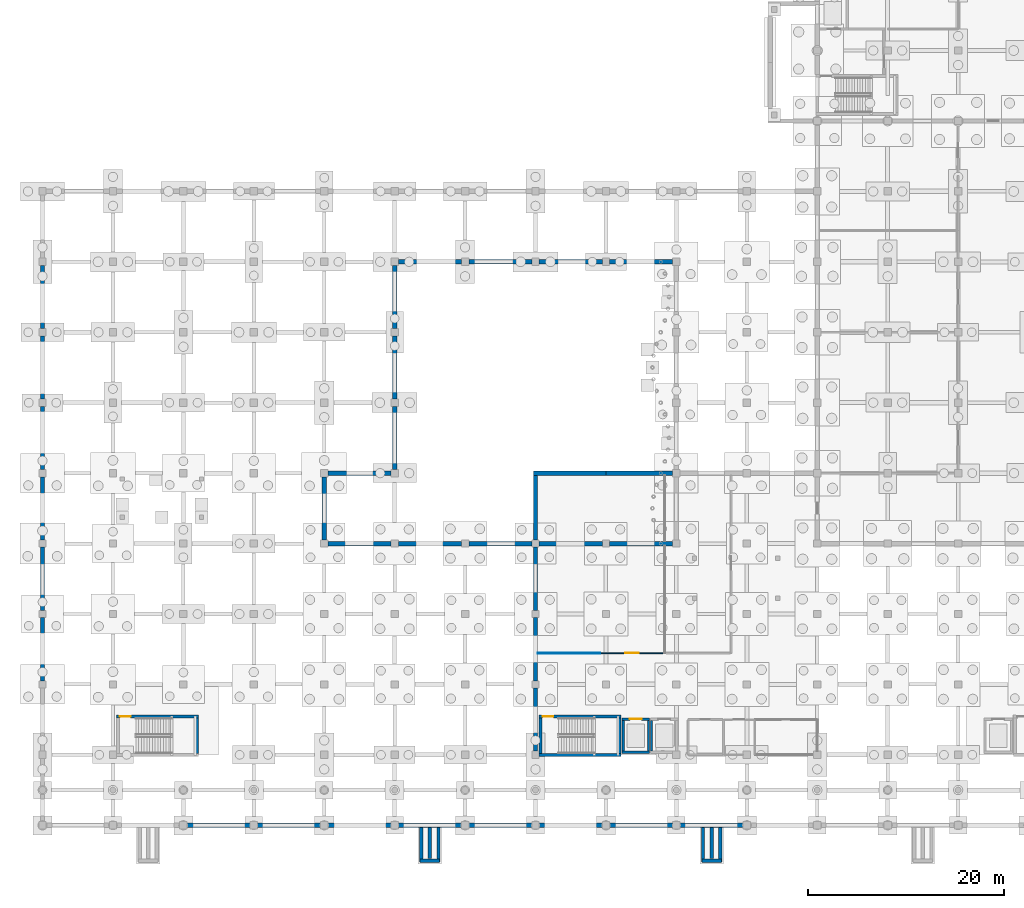
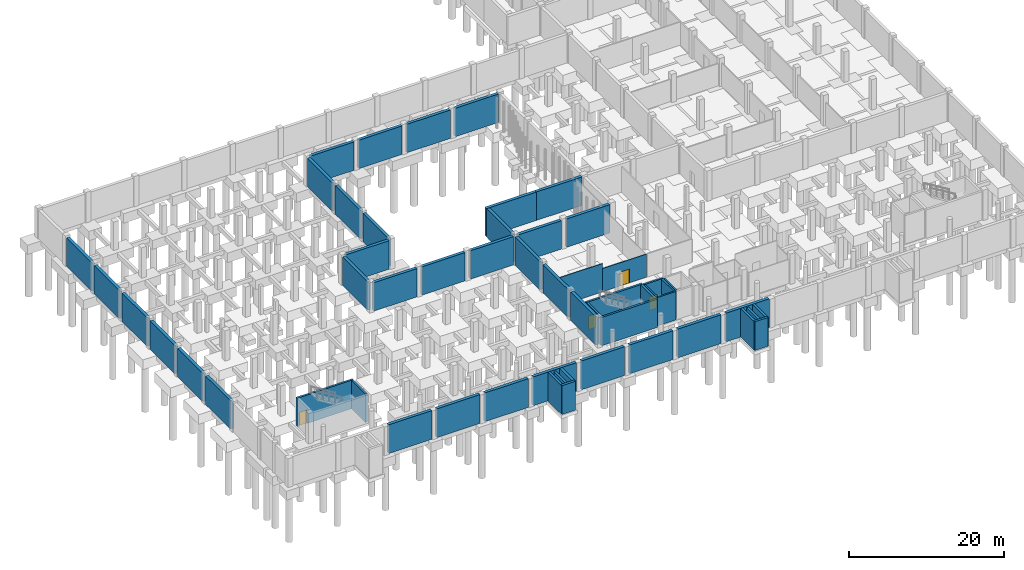
# One storey, part 24 of 35: 55 walls, 4 doors, 4 openings.
"""IFC4 building model written with IfcOpenShell, lengths in metres."""

import ifcopenshell
import ifcopenshell.guid

model = None  # the IFC model being written
_history = None  # IfcOwnerHistory: only IFC2X3 demands one
_inside = {}  # id of a spatial element -> (the spatial element, [elements in it])
_under = {}  # id of a project, library or spatial element -> (it, [spatial elements below it])
_declared = {}  # id of a project -> (the project, [libraries it declares])
_typed = {}  # id of a type object -> (the type object, [elements of that type])
_made_of = {}  # id of a material, layer set ... -> (it, [elements and type objects made of it])


def new_model(schema):
    """Start an empty IFC model of exactly this schema.

    Asked for "IFC4X3", IfcOpenShell would pick the latest addendum, in which some entities
    have other attributes; the version numbers below select the first issue.
    IFC2X3 requires an IfcOwnerHistory on every rooted entity: one is made here for all.
    """
    global model, _history
    if schema == "IFC4X3":
        model = ifcopenshell.file(schema_version=(4, 3, 0, 0))
    else:
        model = ifcopenshell.file(schema=schema)
    _inside.clear()
    _under.clear()
    _declared.clear()
    _typed.clear()
    _made_of.clear()
    _history = None
    if model.schema == "IFC2X3":
        org = make("IfcOrganization", Name="unknown")
        user = make(
            "IfcPersonAndOrganization",
            ThePerson=make("IfcPerson", FamilyName="unknown"),
            TheOrganization=org,
        )
        app = make(
            "IfcApplication",
            ApplicationDeveloper=org,
            Version="unknown",
            ApplicationFullName="unknown",
            ApplicationIdentifier="unknown",
        )
        _history = make(
            "IfcOwnerHistory",
            OwningUser=user,
            OwningApplication=app,
            ChangeAction="ADDED",
            CreationDate=0,
        )
    return model


def make(cls, **values):
    """One entity of the class cls with the attributes given. An attribute that is None is left unset."""
    return model.create_entity(
        cls, **{name: value for name, value in values.items() if value is not None}
    )


def rooted(cls, **values):
    """An entity with a GlobalId (a new one), such as an element, a storey or a relation."""
    return make(cls, GlobalId=ifcopenshell.guid.new(), OwnerHistory=_history, **values)


def si_unit(unit_type, name, prefix=None):
    """IfcSIUnit, for example si_unit("LENGTHUNIT", "METRE", prefix="MILLI")."""
    return make("IfcSIUnit", UnitType=unit_type, Prefix=prefix, Name=name)


def assignment(units):
    """IfcUnitAssignment: the units of a project."""
    return None if units is None else make("IfcUnitAssignment", Units=units)


def point(xyz):
    """IfcCartesianPoint."""
    return None if xyz is None else make("IfcCartesianPoint", Coordinates=xyz)


def direction(xyz):
    """IfcDirection."""
    return None if xyz is None else make("IfcDirection", DirectionRatios=xyz)


def frame(location, z_axis=None, x_axis=None):
    """IfcAxis2Placement3D, a coordinate frame: its origin and axes. An axis left out is left unset."""
    return make(
        "IfcAxis2Placement3D",
        Location=point(location),
        Axis=direction(z_axis),
        RefDirection=direction(x_axis),
    )


def frame_2d(location, x_axis=None):
    """IfcAxis2Placement2D, a coordinate frame in the plane: its origin and x axis."""
    return make(
        "IfcAxis2Placement2D", Location=point(location), RefDirection=direction(x_axis)
    )


def origin():
    """The frame at (0, 0, 0) with its axes left unset."""
    return frame((0.0, 0.0, 0.0))


def place(relative_to, where):
    """IfcLocalPlacement: puts the frame where relative to a parent placement (None: the world)."""
    return make(
        "IfcLocalPlacement", PlacementRelTo=relative_to, RelativePlacement=where
    )


def context(
    kind, dimensions, precision=None, world=None, true_north=None, identifier=None
):
    """IfcGeometricRepresentationContext, for example the 3D "Model" context."""
    return make(
        "IfcGeometricRepresentationContext",
        ContextIdentifier=identifier,
        ContextType=kind,
        CoordinateSpaceDimension=dimensions,
        Precision=precision,
        WorldCoordinateSystem=world,
        TrueNorth=true_north,
    )


def subcontext(parent, identifier, kind, view, scale=None):
    """IfcGeometricRepresentationSubContext, for example "Body" below "Model"."""
    return make(
        "IfcGeometricRepresentationSubContext",
        ContextIdentifier=identifier,
        ContextType=kind,
        ParentContext=parent,
        TargetScale=scale,
        TargetView=view,
    )


def project(units=None, contexts=None):
    """IfcProject with its units and contexts."""
    return rooted(
        "IfcProject",
        Name="project",
        RepresentationContexts=contexts,
        UnitsInContext=assignment(units),
    )


def spatial(cls, under=None, at=None, **own):
    """A site, building, storey or space (cls), placed at a placement, below another one or the project."""
    s = rooted(cls, ObjectPlacement=at, **own)
    if under is not None:
        _under.setdefault(under.id(), (under, []))[1].append(s)
    return s


def profile(cls, at=None, kind="AREA", **sizes):
    """A parametric profile (cls). Its sizes go by their IFC names, for example OverallWidth=200.0."""
    return make(cls, ProfileType=kind, Position=at, **sizes)


def rectangle(**sizes):
    """IfcRectangleProfileDef."""
    return profile("IfcRectangleProfileDef", **sizes)


def extrude(swept, where, along, depth):
    """IfcExtrudedAreaSolid: the profile swept, set in the frame where, extruded along a direction by depth."""
    return make(
        "IfcExtrudedAreaSolid",
        SweptArea=swept,
        Position=where,
        ExtrudedDirection=direction(along),
        Depth=depth,
    )


def shape(context_of_items, identifier, shape_type, items):
    """IfcShapeRepresentation: the items that make up one representation, for example the "Body"."""
    return make(
        "IfcShapeRepresentation",
        ContextOfItems=context_of_items,
        RepresentationIdentifier=identifier,
        RepresentationType=shape_type,
        Items=items,
    )


def material(Name=None, Category=None):
    """IfcMaterial."""
    return make("IfcMaterial", Name=Name, Category=Category)


def layer(
    of_material, thickness, ventilated=None, Name=None, Category=None, Priority=None
):
    """IfcMaterialLayer: one layer of a wall or slab, of a material (None: an air gap)."""
    return make(
        "IfcMaterialLayer",
        Material=of_material,
        LayerThickness=thickness,
        IsVentilated=ventilated,
        Name=Name,
        Category=Category,
        Priority=Priority,
    )


def layer_set(layers, Name=None):
    """IfcMaterialLayerSet."""
    return make("IfcMaterialLayerSet", MaterialLayers=layers, LayerSetName=Name)


def made_of(thing, what):
    """Note that an element or type object is made of a material, layer set ...; save() writes the relation."""
    if what is not None:
        _made_of.setdefault(what.id(), (what, []))[1].append(thing)
    return thing


def type_object(cls, material=None, **own):
    """A type object (cls), such as IfcWallType, which elements share."""
    return made_of(rooted(cls, **own), material)


def element(
    cls,
    number,
    at=None,
    inside=None,
    cuts=None,
    type_object=None,
    material=None,
    context=None,
    identifier="Body",
    shape_type=None,
    held_by="IfcProductDefinitionShape",
    body=None,
    shapes=None,
    **own,
):
    """One element of the class cls, such as IfcWall. Its Tag is "e" and its number.

    at: its placement. inside: the storey or other place that contains it. cuts: it is an
    opening in that element (IfcRelVoidsElement). A single representation is given by context,
    identifier, shape_type and body (its items); several are given by shapes. held_by: the class
    of the entity that holds the representations. save() writes the other relations.
    """
    e = rooted(cls, Tag="e%d" % number, ObjectPlacement=at, **own)
    if body is not None:
        shapes = [shape(context, identifier, shape_type, body)]
    if shapes is not None:
        e.Representation = make(held_by, Representations=shapes)
    if inside is not None:
        _inside.setdefault(inside.id(), (inside, []))[1].append(e)
    if cuts is not None:
        rooted(
            "IfcRelVoidsElement", RelatingBuildingElement=cuts, RelatedOpeningElement=e
        )
    if type_object is not None:
        _typed.setdefault(type_object.id(), (type_object, []))[1].append(e)
    return made_of(e, material)


def fill(opening, filler):
    """IfcRelFillsElement: the door or window that sits in an opening."""
    return rooted(
        "IfcRelFillsElement",
        RelatingOpeningElement=opening,
        RelatedBuildingElement=filler,
    )


def aggregate(whole, parts):
    """IfcRelAggregates: a whole, such as a stair, and the parts it consists of."""
    return rooted("IfcRelAggregates", RelatingObject=whole, RelatedObjects=parts)


def save(model, path):
    """Write the relations noted so far, then the file.

    IfcRelAggregates (storeys below a building ...), IfcRelContainedInSpatialStructure (elements
    in a storey), IfcRelDefinesByType, IfcRelAssociatesMaterial and IfcRelDeclares: one each for
    every whole, place, type object, material and project.
    """
    for whole, parts in _under.values():
        aggregate(whole, parts)
    for where, things in _inside.values():
        rooted(
            "IfcRelContainedInSpatialStructure",
            RelatedElements=things,
            RelatingStructure=where,
        )
    for kind, things in _typed.values():
        rooted("IfcRelDefinesByType", RelatedObjects=things, RelatingType=kind)
    for what, things in _made_of.values():
        rooted("IfcRelAssociatesMaterial", RelatedObjects=things, RelatingMaterial=what)
    for by, libraries in _declared.values():
        rooted("IfcRelDeclares", RelatingContext=by, RelatedDefinitions=libraries)
    model.write(path)


model = new_model("IFC4")

# Units and contexts
model_context = context("Model", 3, precision=1e-05, world=origin(), true_north=direction((0.0, 1.0)))
body_context = subcontext(model_context, "Body", "Model", "MODEL_VIEW")
ifc_project = project(units=[si_unit("LENGTHUNIT", "METRE"), si_unit("AREAUNIT", "SQUARE_METRE"), si_unit("VOLUMEUNIT", "CUBIC_METRE"), si_unit("PLANEANGLEUNIT", "RADIAN"), si_unit("MASSUNIT", "GRAM", prefix="KILO"), si_unit("THERMODYNAMICTEMPERATUREUNIT", "KELVIN"), si_unit("POWERUNIT", "WATT")], contexts=[model_context])

# Site, building, storey
site_placement = place(None, origin())
site = spatial("IfcSite", under=ifc_project, at=site_placement, CompositionType="ELEMENT")
building_placement = place(site_placement, origin())
building = spatial("IfcBuilding", under=site, at=building_placement, Name="Kaldorven Railside Theatre", CompositionType="ELEMENT")
storey_placement = place(building_placement, frame((0.0, 0.0, -4.800048828125)))
storey = spatial("IfcBuildingStorey", under=building, at=storey_placement, Name="B1", CompositionType="ELEMENT", Elevation=-4.800048828125)

# Walls
ifc_material_1 = material(Name="Concrete C40/50", Category="concrete")
ifc_layer_1 = layer(ifc_material_1, 0.449951171875, Name="Concrete C40/50")
ifc_layer_set_1 = layer_set([ifc_layer_1], Name="Concrete C40/50")
wall_type_1 = type_object("IfcWallType", Name="WL-EW01", PredefinedType="SHEAR", material=ifc_layer_set_1)
wall_1_placement = place(storey_placement, frame((8.0, 26.77490234375, 0.0), z_axis=(0.0, 0.0, 1.0), x_axis=(0.0, 1.0, 0.0)))
element("IfcWall", 1, at=wall_1_placement, inside=storey, type_object=wall_type_1, Name="Basement Plinth Retaining Wall EW-0002", PredefinedType="SHEAR", context=body_context, shape_type="SweptSolid", body=[
    extrude(rectangle(XDim=6.4501953125, YDim=0.449951171875, at=frame_2d((3.22509765625, 0.0))), origin(), (0.0, 0.0, 1.0), 4.5),
])
for number, where, z_axis, x_axis, name in (
    (2, (8.0, 33.97509765625, 0.0), (0.0, 0.0, 1.0), (0.0, 1.0, 0.0), "Basement Plinth Retaining Wall EW-0003"),
    (3, (8.0, 41.175048828125, 0.0), (0.0, 0.0, 1.0), (0.0, 1.0, 0.0), "Basement Plinth Retaining Wall EW-0004"),
    (4, (8.0, 48.375, 0.0), (0.0, 0.0, 1.0), (0.0, 1.0, 0.0), "Basement Plinth Retaining Wall EW-0005"),
    (5, (8.0, 55.574951171875, 0.0), (0.0, 0.0, 1.0), (0.0, 1.0, 0.0), "Basement Plinth Retaining Wall EW-0006"),
):
    element("IfcWall", number, at=place(storey_placement, frame(where, z_axis=z_axis, x_axis=x_axis)), inside=storey, type_object=wall_type_1, Name=name, PredefinedType="SHEAR", context=body_context, shape_type="SweptSolid", body=[
        extrude(rectangle(XDim=6.449951171875, YDim=0.449951171875, at=frame_2d((3.22509765625, 0.0))), origin(), (0.0, 0.0, 1.0), 4.5),
    ])
wall_2_placement = place(storey_placement, frame((8.0, 62.77490234375, 0.0), z_axis=(0.0, 0.0, 1.0), x_axis=(0.0, 1.0, 0.0)))
element("IfcWall", 6, at=wall_2_placement, inside=storey, type_object=wall_type_1, Name="Basement Plinth Retaining Wall EW-0007", PredefinedType="SHEAR", context=body_context, shape_type="SweptSolid", body=[
    extrude(rectangle(XDim=6.4501953125, YDim=0.449951171875, at=frame_2d((3.22509765625, 0.0))), origin(), (0.0, 0.0, 1.0), 4.5),
])
for number, where, z_axis, x_axis, name in (
    (7, (79.625, 12.0, 0.0), (0.0, 0.0, 1.0), (-1.0, 0.0, 0.0), "Basement Plinth Retaining Wall EW-0081"),
    (8, (72.425048828125, 12.0, 0.0), (0.0, 0.0, 1.0), (-1.0, 0.0, 0.0), "Basement Plinth Retaining Wall EW-0082"),
):
    element("IfcWall", number, at=place(storey_placement, frame(where, z_axis=z_axis, x_axis=x_axis)), inside=storey, type_object=wall_type_1, Name=name, PredefinedType="SHEAR", context=body_context, shape_type="SweptSolid", body=[
        extrude(rectangle(XDim=6.449951171875, YDim=0.449951171875, at=frame_2d((3.22509765625, 0.0))), origin(), (0.0, 0.0, 1.0), 4.550048828125),
    ])
wall_3_placement = place(storey_placement, frame((65.22509765625, 12.0, 0.0), z_axis=(0.0, 0.0, 1.0), x_axis=(-1.0, 0.0, 0.0)))
element("IfcWall", 9, at=wall_3_placement, inside=storey, type_object=wall_type_1, Name="Basement Plinth Retaining Wall EW-0083", PredefinedType="SHEAR", context=body_context, shape_type="SweptSolid", body=[
    extrude(rectangle(XDim=6.4501953125, YDim=0.449951171875, at=frame_2d((3.22509765625, 0.0))), origin(), (0.0, 0.0, 1.0), 4.550048828125),
])
for number, where, z_axis, x_axis, name in (
    (10, (58.02490234375, 12.0, 0.0), (0.0, 0.0, 1.0), (-1.0, 0.0, 0.0), "Basement Plinth Retaining Wall EW-0084"),
    (11, (50.824951171875, 12.0, 0.0), (0.0, 0.0, 1.0), (-1.0, 0.0, 0.0), "Basement Plinth Retaining Wall EW-0085"),
    (12, (43.625, 12.0, 0.0), (0.0, 0.0, 1.0), (-1.0, 0.0, 0.0), "Basement Plinth Retaining Wall EW-0086"),
    (13, (36.425048828125, 12.0, 0.0), (0.0, 0.0, 1.0), (-1.0, 0.0, 0.0), "Basement Plinth Retaining Wall EW-0087"),
):
    element("IfcWall", number, at=place(storey_placement, frame(where, z_axis=z_axis, x_axis=x_axis)), inside=storey, type_object=wall_type_1, Name=name, PredefinedType="SHEAR", context=body_context, shape_type="SweptSolid", body=[
        extrude(rectangle(XDim=6.449951171875, YDim=0.449951171875, at=frame_2d((3.22509765625, 0.0))), origin(), (0.0, 0.0, 1.0), 4.550048828125),
    ])
wall_4_placement = place(storey_placement, frame((29.22509765625, 12.0, 0.0), z_axis=(0.0, 0.0, 1.0), x_axis=(-1.0, 0.0, 0.0)))
element("IfcWall", 14, at=wall_4_placement, inside=storey, type_object=wall_type_1, Name="Basement Plinth Retaining Wall EW-0088", PredefinedType="SHEAR", context=body_context, shape_type="SweptSolid", body=[
    extrude(rectangle(XDim=6.4501953125, YDim=0.449951171875, at=frame_2d((3.22509765625, 0.0))), origin(), (0.0, 0.0, 1.0), 4.550048828125),
])
for number, where, z_axis, x_axis, name in (
    (15, (44.0, 62.02490234375, 0.0), (0.0, 0.0, 1.0), (0.0, -1.0, 0.0), "Basement Plinth Retaining Wall EW-0093"),
    (16, (44.0, 54.824951171875, 0.0), (0.0, 0.0, 1.0), (0.0, -1.0, 0.0), "Basement Plinth Retaining Wall EW-0094"),
    (17, (43.625, 48.0, 0.0), (0.0, 0.0, 1.0), (-1.0, 0.0, 0.0), "Basement Plinth Retaining Wall EW-0095"),
):
    element("IfcWall", number, at=place(storey_placement, frame(where, z_axis=z_axis, x_axis=x_axis)), inside=storey, type_object=wall_type_1, Name=name, PredefinedType="SHEAR", context=body_context, shape_type="SweptSolid", body=[
        extrude(rectangle(XDim=6.449951171875, YDim=0.449951171875, at=frame_2d((3.22509765625, 0.0))), origin(), (0.0, 0.0, 1.0), 4.52001953125),
    ])
wall_5_placement = place(storey_placement, frame((36.800048828125, 47.625, 0.0), z_axis=(0.0, 0.0, 1.0), x_axis=(0.0, -1.0, 0.0)))
element("IfcWall", 18, at=wall_5_placement, inside=storey, type_object=wall_type_1, Name="Basement Plinth Retaining Wall EW-0096", PredefinedType="SHEAR", context=body_context, shape_type="SweptSolid", body=[
    extrude(rectangle(XDim=6.449951171875, YDim=0.449951171875, at=frame_2d((3.22509765625, 0.0))), origin(), (0.0, 0.0, 1.0), 4.5),
])
for number, where, z_axis, x_axis, name in (
    (19, (37.175048828125, 40.800048828125, 0.0), (0.0, 0.0, 1.0), (1.0, 0.0, 0.0), "Basement Plinth Retaining Wall EW-0097"),
    (20, (44.375, 40.800048828125, 0.0), (0.0, 0.0, 1.0), (1.0, 0.0, 0.0), "Basement Plinth Retaining Wall EW-0098"),
    (21, (51.574951171875, 40.800048828125, 0.0), (0.0, 0.0, 1.0), (1.0, 0.0, 0.0), "Basement Plinth Retaining Wall EW-0099"),
):
    element("IfcWall", number, at=place(storey_placement, frame(where, z_axis=z_axis, x_axis=x_axis)), inside=storey, type_object=wall_type_1, Name=name, PredefinedType="SHEAR", context=body_context, shape_type="SweptSolid", body=[
        extrude(rectangle(XDim=6.449951171875, YDim=0.449951171875, at=frame_2d((3.22509765625, 0.0))), origin(), (0.0, 0.0, 1.0), 4.47998046875),
    ])
wall_6_placement = place(storey_placement, frame((58.77490234375, 40.800048828125, 0.0), z_axis=(0.0, 0.0, 1.0), x_axis=(1.0, 0.0, 0.0)))
element("IfcWall", 22, at=wall_6_placement, inside=storey, type_object=wall_type_1, Name="Basement Plinth Retaining Wall EW-0100", PredefinedType="SHEAR", context=body_context, shape_type="SweptSolid", body=[
    extrude(rectangle(XDim=6.4501953125, YDim=0.449951171875, at=frame_2d((3.22509765625, 0.0))), origin(), (0.0, 0.0, 1.0), 4.47998046875),
])
wall_7_placement = place(storey_placement, frame((65.97509765625, 40.800048828125, 0.0), z_axis=(0.0, 0.0, 1.0), x_axis=(1.0, 0.0, 0.0)))
element("IfcWall", 23, at=wall_7_placement, inside=storey, type_object=wall_type_1, Name="Basement Plinth Retaining Wall EW-0101", PredefinedType="SHEAR", context=body_context, shape_type="SweptSolid", body=[
    extrude(rectangle(XDim=6.449951171875, YDim=0.449951171875, at=frame_2d((3.22509765625, 0.0))), origin(), (0.0, 0.0, 1.0), 4.47998046875),
])
wall_8_placement = place(storey_placement, frame((72.425048828125, 69.60009765625, 0.0), z_axis=(0.0, 0.0, 1.0), x_axis=(-1.0, 0.0, 0.0)))
element("IfcWall", 24, at=wall_8_placement, inside=storey, type_object=wall_type_1, Name="Basement Plinth Retaining Wall EW-0106", PredefinedType="SHEAR", context=body_context, shape_type="SweptSolid", body=[
    extrude(rectangle(XDim=6.449951171875, YDim=0.449951171875, at=frame_2d((3.22509765625, 0.0))), origin(), (0.0, 0.0, 1.0), 4.5),
])
wall_9_placement = place(storey_placement, frame((65.22509765625, 69.60009765625, 0.0), z_axis=(0.0, 0.0, 1.0), x_axis=(-1.0, 0.0, 0.0)))
element("IfcWall", 25, at=wall_9_placement, inside=storey, type_object=wall_type_1, Name="Basement Plinth Retaining Wall EW-0107", PredefinedType="SHEAR", context=body_context, shape_type="SweptSolid", body=[
    extrude(rectangle(XDim=6.4501953125, YDim=0.449951171875, at=frame_2d((3.22509765625, 0.0))), origin(), (0.0, 0.0, 1.0), 4.5),
])
for number, where, z_axis, x_axis, name in (
    (26, (58.02490234375, 69.60009765625, 0.0), (0.0, 0.0, 1.0), (-1.0, 0.0, 0.0), "Basement Plinth Retaining Wall EW-0108"),
    (27, (50.824951171875, 69.60009765625, 0.0), (0.0, 0.0, 1.0), (-1.0, 0.0, 0.0), "Basement Plinth Retaining Wall EW-0109"),
):
    element("IfcWall", number, at=place(storey_placement, frame(where, z_axis=z_axis, x_axis=x_axis)), inside=storey, type_object=wall_type_1, Name=name, PredefinedType="SHEAR", context=body_context, shape_type="SweptSolid", body=[
        extrude(rectangle(XDim=6.449951171875, YDim=0.449951171875, at=frame_2d((3.22509765625, 0.0))), origin(), (0.0, 0.0, 1.0), 4.5),
    ])
wall_10_placement = place(storey_placement, frame((44.0, 69.22509765625, 0.0), z_axis=(0.0, 0.0, 1.0), x_axis=(0.0, -1.0, 0.0)))
element("IfcWall", 28, at=wall_10_placement, inside=storey, type_object=wall_type_1, Name="Basement Plinth Retaining Wall EW-0110", PredefinedType="SHEAR", context=body_context, shape_type="SweptSolid", body=[
    extrude(rectangle(XDim=6.4501953125, YDim=0.449951171875, at=frame_2d((3.22509765625, 0.0))), origin(), (0.0, 0.0, 1.0), 4.5),
])
wall_11_placement = place(storey_placement, frame((58.39990234375, 19.574951171875, 0.0), z_axis=(0.0, 0.0, 1.0), x_axis=(0.0, 1.0, 0.0)))
element("IfcWall", 29, at=wall_11_placement, inside=storey, type_object=wall_type_1, Name="Basement Compartment Retaining Wall EW-0124", PredefinedType="SHEAR", context=body_context, shape_type="SweptSolid", body=[
    extrude(rectangle(XDim=6.449951171875, YDim=0.449951171875, at=frame_2d((3.22509765625, 0.0))), origin(), (0.0, 0.0, 1.0), 4.47998046875),
])
wall_12_placement = place(storey_placement, frame((58.39990234375, 26.77490234375, 0.0), z_axis=(0.0, 0.0, 1.0), x_axis=(0.0, 1.0, 0.0)))
element("IfcWall", 30, at=wall_12_placement, inside=storey, type_object=wall_type_1, Name="Basement Compartment Retaining Wall EW-0125", PredefinedType="SHEAR", context=body_context, shape_type="SweptSolid", body=[
    extrude(rectangle(XDim=6.4501953125, YDim=0.449951171875, at=frame_2d((3.22509765625, 0.0))), origin(), (0.0, 0.0, 1.0), 4.47998046875),
])
wall_13_placement = place(storey_placement, frame((58.39990234375, 33.97509765625, 0.0), z_axis=(0.0, 0.0, 1.0), x_axis=(0.0, 1.0, 0.0)))
element("IfcWall", 31, at=wall_13_placement, inside=storey, type_object=wall_type_1, Name="Basement Compartment Retaining Wall EW-0126", PredefinedType="SHEAR", context=body_context, shape_type="SweptSolid", body=[
    extrude(rectangle(XDim=6.449951171875, YDim=0.449951171875, at=frame_2d((3.22509765625, 0.0))), origin(), (0.0, 0.0, 1.0), 4.47998046875),
])
wall_14_placement = place(storey_placement, frame((58.39990234375, 41.175048828125, 0.0), z_axis=(0.0, 0.0, 1.0), x_axis=(0.0, 1.0, 0.0)))
element("IfcWall", 32, at=wall_14_placement, inside=storey, type_object=wall_type_1, Name="Basement Compartment Retaining Wall EW-0127", PredefinedType="SHEAR", context=body_context, shape_type="SweptSolid", body=[
    extrude(rectangle(XDim=6.599853515625, YDim=0.449951171875, at=frame_2d((3.2998046875, 0.0))), origin(), (0.0, 0.0, 1.0), 4.47998046875),
])
wall_15_placement = place(storey_placement, frame((58.175048828125, 48.0, 0.0), z_axis=(0.0, 0.0, 1.0), x_axis=(1.0, 0.0, 0.0)))
element("IfcWall", 33, at=wall_15_placement, inside=storey, type_object=wall_type_1, Name="Basement Compartment Retaining Wall EW-0128", PredefinedType="SHEAR", context=body_context, shape_type="SweptSolid", body=[
    extrude(rectangle(XDim=7.425048828125, YDim=0.449951171875, at=frame_2d((3.71240234375, 0.0))), origin(), (0.0, 0.0, 1.0), 4.47998046875),
])
wall_16_placement = place(storey_placement, frame((65.60009765625, 48.0, 0.0), z_axis=(0.0, 0.0, 1.0), x_axis=(1.0, 0.0, 0.0)))
element("IfcWall", 34, at=wall_16_placement, inside=storey, type_object=wall_type_1, Name="Basement Compartment Retaining Wall EW-0129", PredefinedType="SHEAR", context=body_context, shape_type="SweptSolid", body=[
    extrude(rectangle(XDim=6.824951171875, YDim=0.449951171875, at=frame_2d((3.41259765625, 0.0))), origin(), (0.0, 0.0, 1.0), 4.5),
])
ifc_material_2 = material(Name="Precast concrete C40/50", Category="concrete")
ifc_layer_2 = layer(ifc_material_2, 0.35009765625, Name="Precast concrete C40/50")
ifc_layer_set_2 = layer_set([ifc_layer_2], Name="Precast concrete C40/50")
wall_type_2 = type_object("IfcWallType", Name="WL-EW03", PredefinedType="SOLIDWALL", material=ifc_layer_set_2)
for number, where, z_axis, x_axis, name in (
    (35, (46.719970703125, 8.260009765625, 0.0), (0.0, 0.0, 1.0), (0.0, 1.0, 0.0), "Arrival Ramp RMP-02 Plinth Cheek Wall"),
    (36, (48.47998046875, 8.260009765625, 0.0), (0.0, 0.0, 1.0), (0.0, 1.0, 0.0), "Arrival Ramp RMP-02 Plinth Cheek Wall"),
):
    element("IfcWall", number, at=place(storey_placement, frame(where, z_axis=z_axis, x_axis=x_axis)), inside=storey, type_object=wall_type_2, Name=name, PredefinedType="SOLIDWALL", context=body_context, shape_type="SweptSolid", body=[
        extrude(rectangle(XDim=3.510009765625, YDim=0.35009765625, at=frame_2d((1.7548828125, 0.0))), origin(), (0.0, 0.0, 1.0), 4.550048828125),
    ])
wall_17_placement = place(storey_placement, frame((46.60009765625, 8.385009765625, 0.0), z_axis=(0.0, 0.0, 1.0), x_axis=(1.0, 0.0, 0.0)))
element("IfcWall", 37, at=wall_17_placement, inside=storey, type_object=wall_type_2, Name="Arrival Ramp RMP-02 Plinth Cheek Wall", PredefinedType="SOLIDWALL", context=body_context, shape_type="SweptSolid", body=[
    extrude(rectangle(XDim=2.0, YDim=0.35009765625, at=frame_2d((1.0, 0.0))), origin(), (0.0, 0.0, 1.0), 4.550048828125),
])
wall_18_placement = place(storey_placement, frame((47.60009765625, 8.580078125, 0.0), z_axis=(0.0, 0.0, 1.0), x_axis=(0.0, 1.0, 0.0)))
element("IfcWall", 38, at=wall_18_placement, inside=storey, type_object=wall_type_2, Name="Arrival Ramp RMP-02 Plinth Cheek Wall", PredefinedType="SOLIDWALL", context=body_context, shape_type="SweptSolid", body=[
    extrude(rectangle(XDim=3.18994140625, YDim=0.35009765625, at=frame_2d((1.594970703125, 0.0))), origin(), (0.0, 0.0, 1.0), 4.340087890625),
])
for number, where, z_axis, x_axis, name in (
    (39, (75.52001953125, 8.260009765625, 0.0), (0.0, 0.0, 1.0), (0.0, 1.0, 0.0), "Arrival Ramp RMP-03 Plinth Cheek Wall"),
    (40, (77.280029296875, 8.260009765625, 0.0), (0.0, 0.0, 1.0), (0.0, 1.0, 0.0), "Arrival Ramp RMP-03 Plinth Cheek Wall"),
):
    element("IfcWall", number, at=place(storey_placement, frame(where, z_axis=z_axis, x_axis=x_axis)), inside=storey, type_object=wall_type_2, Name=name, PredefinedType="SOLIDWALL", context=body_context, shape_type="SweptSolid", body=[
        extrude(rectangle(XDim=3.510009765625, YDim=0.35009765625, at=frame_2d((1.7548828125, 0.0))), origin(), (0.0, 0.0, 1.0), 4.550048828125),
    ])
wall_19_placement = place(storey_placement, frame((75.39990234375, 8.385009765625, 0.0), z_axis=(0.0, 0.0, 1.0), x_axis=(1.0, 0.0, 0.0)))
element("IfcWall", 41, at=wall_19_placement, inside=storey, type_object=wall_type_2, Name="Arrival Ramp RMP-03 Plinth Cheek Wall", PredefinedType="SOLIDWALL", context=body_context, shape_type="SweptSolid", body=[
    extrude(rectangle(XDim=2.0, YDim=0.35009765625, at=frame_2d((1.0, 0.0))), origin(), (0.0, 0.0, 1.0), 4.550048828125),
])
wall_20_placement = place(storey_placement, frame((76.39990234375, 8.580078125, 0.0), z_axis=(0.0, 0.0, 1.0), x_axis=(0.0, 1.0, 0.0)))
element("IfcWall", 42, at=wall_20_placement, inside=storey, type_object=wall_type_2, Name="Arrival Ramp RMP-03 Plinth Cheek Wall", PredefinedType="SOLIDWALL", context=body_context, shape_type="SweptSolid", body=[
    extrude(rectangle(XDim=3.18994140625, YDim=0.35009765625, at=frame_2d((1.594970703125, 0.0))), origin(), (0.0, 0.0, 1.0), 4.340087890625),
])

# Wall, opening, door
ifc_layer_3 = layer(ifc_material_1, 0.300048828125, Name="Concrete C40/50")
ifc_layer_set_3 = layer_set([ifc_layer_3], Name="Concrete C40/50")
wall_type_3 = type_object("IfcWallType", Name="WL-IW-CORE", PredefinedType="SHEAR", material=ifc_layer_set_3)
wall_21_placement = place(storey_placement, frame((15.550048828125, 23.10009765625, 0.0), z_axis=(0.0, 0.0, 1.0), x_axis=(1.0, 0.0, 0.0)))
wall_21 = element("IfcWall", 43, at=wall_21_placement, inside=storey, type_object=wall_type_3, Name="B1 Core Wall CW-0003", PredefinedType="SHEAR", context=body_context, shape_type="SweptSolid", body=[
    extrude(rectangle(XDim=8.39990234375, YDim=0.300048828125, at=frame_2d((4.199951171875, 0.0))), origin(), (0.0, 0.0, 1.0), 4.5),
])
opening_1_placement = place(wall_21_placement, frame((0.3701171875, 0.0, 0.0)))
opening_1 = element("IfcOpeningElement", 44, at=opening_1_placement, cuts=wall_21, Name="Opening ID-0001", PredefinedType="OPENING", context=body_context, shape_type="SweptSolid", body=[
    extrude(rectangle(XDim=1.10009765625, YDim=2.14990234375, at=frame_2d((0.550048828125, 1.074951171875))), frame((0.0, 0.16015625, 0.0), z_axis=(0.0, -1.0, 0.0), x_axis=(1.0, 0.0, 0.0)), (0.0, 0.0, 1.0), 0.320068359375),
])
ifc_material_3 = material(Name="Acoustic hardwood timber", Category="wood")
door_type_1 = type_object("IfcDoorType", Name="DR-ID-FD60", OperationType="NOTDEFINED", PredefinedType="DOOR", material=ifc_material_3)
door_1_placement = place(opening_1_placement, origin())
door_1 = element("IfcDoor", 45, at=door_1_placement, inside=storey, type_object=door_type_1, Name="Stair ST-01 Fire Door", OperationType="SINGLE_SWING_LEFT", OverallHeight=2.14990234375, OverallWidth=1.10009765625, PredefinedType="DOOR", context=body_context, shape_type="SweptSolid", body=[
    extrude(rectangle(XDim=1.10009765625, YDim=2.14990234375, at=frame_2d((0.550048828125, 1.074951171875))), frame((0.0, 0.02490234375, 0.0), z_axis=(0.0, -1.0, 0.0), x_axis=(1.0, 0.0, 0.0)), (0.0, 0.0, 1.0), 0.050048828125),
])
fill(opening_1, door_1)

# Walls
wall_22_placement = place(storey_placement, frame((23.800048828125, 22.947998046875, 0.0), z_axis=(0.0, 0.0, 1.0), x_axis=(0.0, -1.0, 0.0)))
element("IfcWall", 46, at=wall_22_placement, inside=storey, type_object=wall_type_3, Name="B1 Core Wall CW-0004", PredefinedType="SHEAR", context=body_context, shape_type="SweptSolid", body=[
    extrude(rectangle(XDim=3.595947265625, YDim=0.300048828125, at=frame_2d((1.7978515625, 0.0))), origin(), (0.0, 0.0, 1.0), 4.5),
])
wall_23_placement = place(storey_placement, frame((67.14990234375, 19.199951171875, 0.0), z_axis=(0.0, 0.0, 1.0), x_axis=(-1.0, 0.0, 0.0)))
element("IfcWall", 47, at=wall_23_placement, inside=storey, type_object=wall_type_3, Name="B1 Core Wall CW-0029", PredefinedType="SHEAR", context=body_context, shape_type="SweptSolid", body=[
    extrude(rectangle(XDim=8.375, YDim=0.300048828125, at=frame_2d((4.1875, 0.0))), origin(), (0.0, 0.0, 1.0), 4.47998046875),
])
wall_24_placement = place(storey_placement, frame((58.89990234375, 19.35205078125, 0.0), z_axis=(0.0, 0.0, 1.0), x_axis=(0.0, 1.0, 0.0)))
element("IfcWall", 48, at=wall_24_placement, inside=storey, type_object=wall_type_3, Name="B1 Core Wall CW-0030", PredefinedType="SHEAR", context=body_context, shape_type="SweptSolid", body=[
    extrude(rectangle(XDim=3.597900390625, YDim=0.300048828125, at=frame_2d((1.798828125, 0.0))), origin(), (0.0, 0.0, 1.0), 4.47998046875),
])

# Wall, opening, door
wall_25_placement = place(storey_placement, frame((58.75, 23.10009765625, 0.0), z_axis=(0.0, 0.0, 1.0), x_axis=(1.0, 0.0, 0.0)))
wall_25 = element("IfcWall", 49, at=wall_25_placement, inside=storey, type_object=wall_type_3, Name="B1 Core Wall CW-0031", PredefinedType="SHEAR", context=body_context, shape_type="SweptSolid", body=[
    extrude(rectangle(XDim=8.39990234375, YDim=0.300048828125, at=frame_2d((4.199951171875, 0.0))), origin(), (0.0, 0.0, 1.0), 4.47998046875),
])
opening_2_placement = place(wall_25_placement, frame((0.3701171875, 0.0, 0.0)))
opening_2 = element("IfcOpeningElement", 50, at=opening_2_placement, cuts=wall_25, Name="Opening ID-0008", PredefinedType="OPENING", context=body_context, shape_type="SweptSolid", body=[
    extrude(rectangle(XDim=1.10009765625, YDim=2.14990234375, at=frame_2d((0.550048828125, 1.074951171875))), frame((0.0, 0.16015625, 0.0), z_axis=(0.0, -1.0, 0.0), x_axis=(1.0, 0.0, 0.0)), (0.0, 0.0, 1.0), 0.320068359375),
])
door_2_placement = place(opening_2_placement, origin())
door_2 = element("IfcDoor", 51, at=door_2_placement, inside=storey, type_object=door_type_1, Name="Stair ST-03 Fire Door", OperationType="SINGLE_SWING_RIGHT", OverallHeight=2.14990234375, OverallWidth=1.10009765625, PredefinedType="DOOR", context=body_context, shape_type="SweptSolid", body=[
    extrude(rectangle(XDim=1.10009765625, YDim=2.14990234375, at=frame_2d((0.550048828125, 1.074951171875))), frame((0.0, 0.02490234375, 0.0), z_axis=(0.0, -1.0, 0.0), x_axis=(1.0, 0.0, 0.0)), (0.0, 0.0, 1.0), 0.050048828125),
])
fill(opening_2, door_2)

# Walls
wall_26_placement = place(storey_placement, frame((67.0, 22.947998046875, 0.0), z_axis=(0.0, 0.0, 1.0), x_axis=(0.0, -1.0, 0.0)))
element("IfcWall", 52, at=wall_26_placement, inside=storey, type_object=wall_type_3, Name="B1 Core Wall CW-0032", PredefinedType="SHEAR", context=body_context, shape_type="SweptSolid", body=[
    extrude(rectangle(XDim=3.595947265625, YDim=0.300048828125, at=frame_2d((1.7978515625, 0.0))), origin(), (0.0, 0.0, 1.0), 4.47998046875),
])
ifc_material_4 = material(Name="Fire-rated acoustic gypsum board")
ifc_layer_4 = layer(ifc_material_4, 0.10009765625, Name="Fire-rated acoustic gypsum board")
ifc_layer_set_4 = layer_set([ifc_layer_4], Name="Fire-rated acoustic gypsum board")
wall_type_4 = type_object("IfcWallType", Name="WL-IW-PT2", PredefinedType="PARTITIONING", material=ifc_layer_set_4)
wall_27_placement = place(storey_placement, frame((58.626953125, 29.60009765625, 0.0), z_axis=(0.0, 0.0, 1.0), x_axis=(1.0, 0.0, 0.0)))
element("IfcWall", 53, at=wall_27_placement, inside=storey, type_object=wall_type_4, Name="B1 Interior Wall IW-0429", PredefinedType="PARTITIONING", context=body_context, shape_type="SweptSolid", body=[
    extrude(rectangle(XDim=6.373046875, YDim=0.10009765625, at=frame_2d((3.1865234375, 0.0))), origin(), (0.0, 0.0, 1.0), 4.47998046875),
])

# Wall, opening, door
wall_28_placement = place(storey_placement, frame((65.0, 29.60009765625, 0.0), z_axis=(0.0, 0.0, 1.0), x_axis=(1.0, 0.0, 0.0)))
wall_28 = element("IfcWall", 54, at=wall_28_placement, inside=storey, type_object=wall_type_4, Name="B1 Interior Wall IW-0430", PredefinedType="PARTITIONING", context=body_context, shape_type="SweptSolid", body=[
    extrude(rectangle(XDim=6.548095703125, YDim=0.10009765625, at=frame_2d((3.27392578125, 0.0))), origin(), (0.0, 0.0, 1.0), 3.675048828125),
])
opening_3_placement = place(wall_28_placement, frame((2.573974609375, 0.0, 0.0)))
opening_3 = element("IfcOpeningElement", 55, at=opening_3_placement, cuts=wall_28, Name="Opening ID-0096", PredefinedType="OPENING", context=body_context, shape_type="SweptSolid", body=[
    extrude(rectangle(XDim=1.39990234375, YDim=2.199951171875, at=frame_2d((0.699951171875, 1.10009765625))), frame((0.0, 0.06005859375, 0.0), z_axis=(0.0, -1.0, 0.0), x_axis=(1.0, 0.0, 0.0)), (0.0, 0.0, 1.0), 0.1201171875),
])
ifc_material_5 = material(Name="Powder-coated hollow-metal steel", Category="steel")
door_type_2 = type_object("IfcDoorType", Name="DR-ID-PLT1", OperationType="NOTDEFINED", PredefinedType="DOOR", material=ifc_material_5)
door_3_placement = place(opening_3_placement, origin())
door_3 = element("IfcDoor", 56, at=door_3_placement, inside=storey, type_object=door_type_2, Name="Costume Laundry Entry Door", OperationType="SINGLE_SWING_LEFT", OverallHeight=2.199951171875, OverallWidth=1.39990234375, PredefinedType="DOOR", context=body_context, shape_type="SweptSolid", body=[
    extrude(rectangle(XDim=1.39990234375, YDim=2.199951171875, at=frame_2d((0.699951171875, 1.10009765625))), frame((0.0, 0.02490234375, 0.0), z_axis=(0.0, -1.0, 0.0), x_axis=(1.0, 0.0, 0.0)), (0.0, 0.0, 1.0), 0.050048828125),
])
fill(opening_3, door_3)

# Walls
ifc_layer_5 = layer(ifc_material_1, 0.239990234375, Name="Concrete C40/50")
ifc_layer_set_5 = layer_set([ifc_layer_5], Name="Concrete C40/50")
wall_type_5 = type_object("IfcWallType", Name="WL-IW-SHAFT", PredefinedType="SHEAR", material=ifc_layer_set_5)
wall_29_placement = place(storey_placement, frame((70.070068359375, 19.449951171875, 0.0), z_axis=(0.0, 0.0, 1.0), x_axis=(-1.0, 0.0, 0.0)))
element("IfcWall", 57, at=wall_29_placement, inside=storey, type_object=wall_type_5, Name="B1 Interior Wall SW-0049", PredefinedType="SHEAR", context=body_context, shape_type="SweptSolid", body=[
    extrude(rectangle(XDim=2.840087890625, YDim=0.239990234375, at=frame_2d((1.419921875, 0.0))), origin(), (0.0, 0.0, 1.0), 4.47998046875),
])
wall_30_placement = place(storey_placement, frame((67.35009765625, 19.572021484375, 0.0), z_axis=(0.0, 0.0, 1.0), x_axis=(0.0, 1.0, 0.0)))
element("IfcWall", 58, at=wall_30_placement, inside=storey, type_object=wall_type_5, Name="B1 Interior Wall SW-0050", PredefinedType="SHEAR", context=body_context, shape_type="SweptSolid", body=[
    extrude(rectangle(XDim=3.157958984375, YDim=0.239990234375, at=frame_2d((1.5791015625, 0.0))), origin(), (0.0, 0.0, 1.0), 4.47998046875),
])

# Wall, opening, door
wall_31_placement = place(storey_placement, frame((67.22998046875, 22.85009765625, 0.0), z_axis=(0.0, 0.0, 1.0), x_axis=(1.0, 0.0, 0.0)))
wall_31 = element("IfcWall", 59, at=wall_31_placement, inside=storey, type_object=wall_type_5, Name="B1 Interior Wall SW-0051", PredefinedType="SHEAR", context=body_context, shape_type="SweptSolid", body=[
    extrude(rectangle(XDim=2.840087890625, YDim=0.239990234375, at=frame_2d((1.419921875, 0.0))), origin(), (0.0, 0.0, 1.0), 4.47998046875),
])
opening_4_placement = place(wall_31_placement, frame((0.820068359375, 0.0, 0.0)))
opening_4 = element("IfcOpeningElement", 60, at=opening_4_placement, cuts=wall_31, Name="Opening LD-001", PredefinedType="OPENING", context=body_context, shape_type="SweptSolid", body=[
    extrude(rectangle(XDim=1.199951171875, YDim=2.14990234375, at=frame_2d((0.60009765625, 1.074951171875))), frame((0.0, 0.1298828125, 0.0), z_axis=(0.0, -1.0, 0.0), x_axis=(1.0, 0.0, 0.0)), (0.0, 0.0, 1.0), 0.260009765625),
])
door_type_3 = type_object("IfcDoorType", Name="DR-LD-PASS", OperationType="NOTDEFINED", PredefinedType="DOOR", material=ifc_material_5)
door_4_placement = place(opening_4_placement, origin())
door_4 = element("IfcDoor", 61, at=door_4_placement, inside=storey, type_object=door_type_3, Name="Lift LF-P1 Sliding Landing Door", OperationType="DOUBLE_DOOR_SLIDING", OverallHeight=2.14990234375, OverallWidth=1.199951171875, PredefinedType="DOOR", context=body_context, shape_type="SweptSolid", body=[
    extrude(rectangle(XDim=1.199951171875, YDim=2.14990234375, at=frame_2d((0.60009765625, 1.074951171875))), frame((0.0, 0.02490234375, 0.0), z_axis=(0.0, -1.0, 0.0), x_axis=(1.0, 0.0, 0.0)), (0.0, 0.0, 1.0), 0.050048828125),
])
fill(opening_4, door_4)

# Walls
wall_32_placement = place(storey_placement, frame((69.949951171875, 22.72802734375, 0.0), z_axis=(0.0, 0.0, 1.0), x_axis=(0.0, -1.0, 0.0)))
element("IfcWall", 62, at=wall_32_placement, inside=storey, type_object=wall_type_5, Name="B1 Interior Wall SW-0052", PredefinedType="SHEAR", context=body_context, shape_type="SweptSolid", body=[
    extrude(rectangle(XDim=3.156005859375, YDim=0.239990234375, at=frame_2d((1.578125, 0.0))), origin(), (0.0, 0.0, 1.0), 4.47998046875),
])
wall_33_placement = place(storey_placement, frame((70.25, 19.572021484375, 0.0), z_axis=(0.0, 0.0, 1.0), x_axis=(0.0, 1.0, 0.0)))
element("IfcWall", 63, at=wall_33_placement, inside=storey, type_object=wall_type_5, Name="B1 Interior Wall SW-0070", PredefinedType="SHEAR", context=body_context, shape_type="SweptSolid", body=[
    extrude(rectangle(XDim=3.157958984375, YDim=0.239990234375, at=frame_2d((1.5791015625, 0.0))), origin(), (0.0, 0.0, 1.0), 4.47998046875),
])

save(model, "model.ifc")
